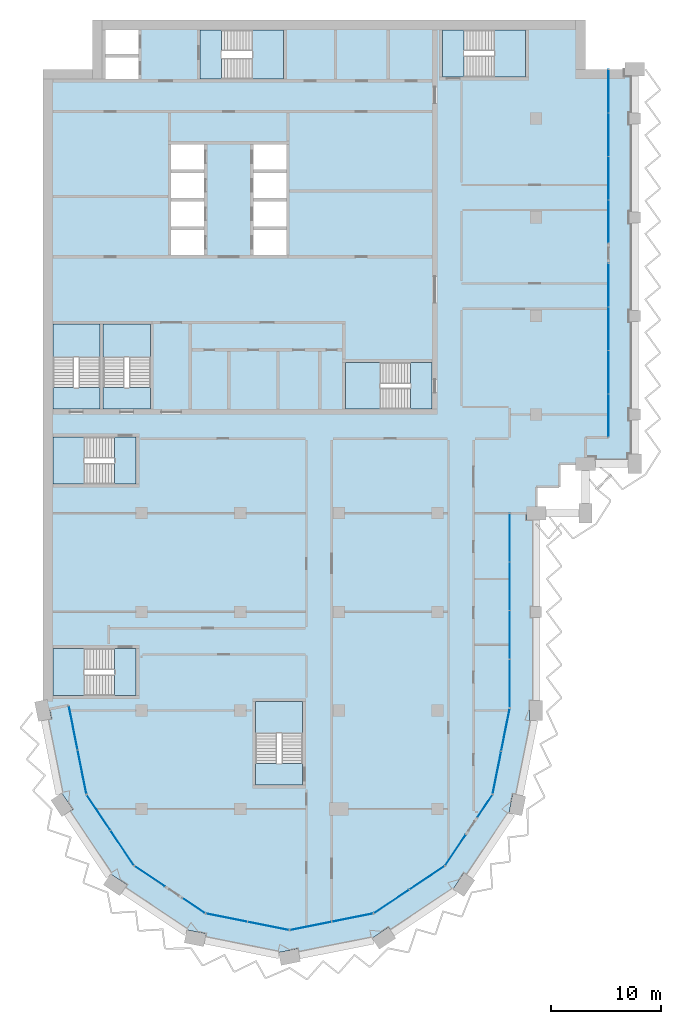
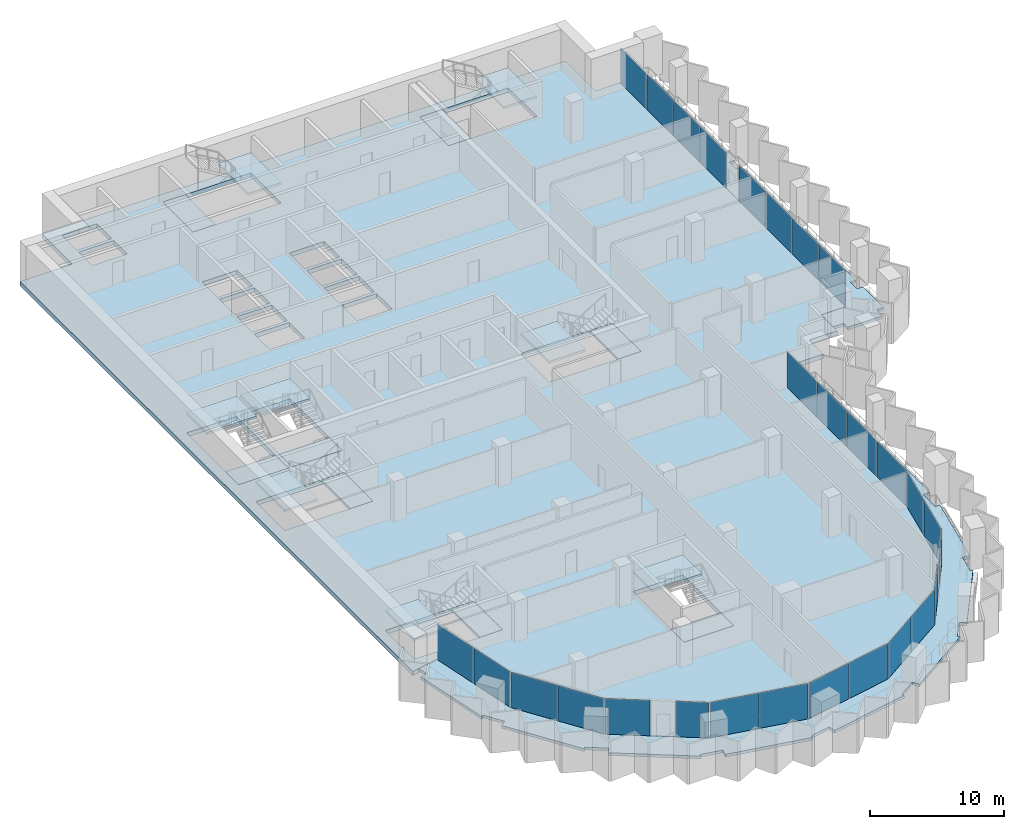
# One storey, part 6 of 17: 28 plates, 19 slabs, 21 elements without a shape of their own.
"""IFC4 building model written with IfcOpenShell, lengths in metres."""

from ifc_helpers import new_model, si_unit, direction, frame, origin, origin_2d, place, context, subcontext, project, spatial, polyline, rectangle, outline, extrude, material, layer, layer_set, type_object, element, aggregate, save


model = new_model("IFC4")

# Units and contexts
model_context = context("Model", 3, precision=1e-05, world=origin(), true_north=direction((0.0, 1.0)))
body_context = subcontext(model_context, "Body", "Model", "MODEL_VIEW")
ifc_project = project(units=[si_unit("LENGTHUNIT", "METRE"), si_unit("AREAUNIT", "SQUARE_METRE"), si_unit("VOLUMEUNIT", "CUBIC_METRE"), si_unit("PLANEANGLEUNIT", "RADIAN"), si_unit("MASSUNIT", "GRAM", prefix="KILO")], contexts=[model_context])

# Site, building, storey
site_placement = place(None, origin())
site = spatial("IfcSite", under=ifc_project, at=site_placement, CompositionType="ELEMENT")
building_placement = place(site_placement, origin())
building = spatial("IfcBuilding", under=site, at=building_placement, Name="Hunhe Ridgeline Campus", CompositionType="ELEMENT")
storey_placement = place(building_placement, frame((0.0, 0.0, 201.300048828125)))
storey = spatial("IfcBuildingStorey", under=building, at=storey_placement, Name="L51", CompositionType="ELEMENT", Elevation=201.300048828125)

# Curtain wall, plates
ifc_material_1 = material(Name="Aluminium 6063", Category="aluminium")
curtain_wall_type_1 = type_object("IfcCurtainWallType", Name="Curtain wall CW-5", PredefinedType="NOTDEFINED", material=ifc_material_1)
curtain_wall_1_placement = place(storey_placement, origin())
curtain_wall_1 = element("IfcCurtainWall", 1, at=curtain_wall_1_placement, inside=storey, type_object=curtain_wall_type_1, Name="Curtain wall 01", PredefinedType="NOTDEFINED")
ifc_material_2 = material(Name="Low-e laminated glass", Category="glass")
ifc_layer_1 = layer(ifc_material_2, 0.028076171875)
ifc_layer_set_1 = layer_set([ifc_layer_1], Name="Curtain wall glass panel 28 low-e laminated")
plate_type = type_object("IfcPlateType", Name="Curtain wall glass panel 28 low-e laminated", PredefinedType="CURTAIN_PANEL", material=ifc_layer_set_1)
plate_1_placement = place(storey_placement, frame((2.76318359375, 34.416015625, 0.0), z_axis=(0.0, 0.0, 1.0), x_axis=(0.195095347137, -0.980784280831, 0.0)))
plate_1 = element("IfcPlate", 2, at=plate_1_placement, type_object=plate_type, Name="CW-5 panel 1", PredefinedType="CURTAIN_PANEL", context=body_context, shape_type="SweptSolid", body=[
    extrude(rectangle(XDim=4.0458984375, YDim=0.028076171875, at=origin_2d()), origin(), (0.0, 0.0, 1.0), 3.22998046875),
])
plate_2_placement = place(storey_placement, frame((3.566162109375, 30.379150390625, 0.0), z_axis=(0.0, 0.0, 1.0), x_axis=(0.195095347137, -0.980784280831, 0.0)))
plate_2 = element("IfcPlate", 3, at=plate_2_placement, type_object=plate_type, Name="CW-5 panel 2", PredefinedType="CURTAIN_PANEL", context=body_context, shape_type="SweptSolid", body=[
    extrude(rectangle(XDim=4.0458984375, YDim=0.028076171875, at=origin_2d()), origin(), (0.0, 0.0, 1.0), 3.22998046875),
])
aggregate(curtain_wall_1, [plate_1, plate_2])

curtain_wall_2_placement = place(storey_placement, origin())
curtain_wall_2 = element("IfcCurtainWall", 4, at=curtain_wall_2_placement, inside=storey, type_object=curtain_wall_type_1, Name="Curtain wall 02", PredefinedType="NOTDEFINED")
plate_3_placement = place(storey_placement, frame((5.07080078125, 26.685546875, 0.0), z_axis=(0.0, 0.0, 1.0), x_axis=(0.555570274596, -0.831469584522, 0.0)))
plate_3 = element("IfcPlate", 5, at=plate_3_placement, type_object=plate_type, Name="CW-5 panel 1", PredefinedType="CURTAIN_PANEL", context=body_context, shape_type="SweptSolid", body=[
    extrude(rectangle(XDim=3.806884765625, YDim=0.028076171875, at=origin_2d()), origin(), (0.0, 0.0, 1.0), 3.22998046875),
])
plate_4_placement = place(storey_placement, frame((7.224609375, 23.4619140625, 0.0), z_axis=(0.0, 0.0, 1.0), x_axis=(0.555570274596, -0.831469584522, 0.0)))
plate_4 = element("IfcPlate", 6, at=plate_4_placement, type_object=plate_type, Name="CW-5 panel 2", PredefinedType="CURTAIN_PANEL", context=body_context, shape_type="SweptSolid", body=[
    extrude(rectangle(XDim=3.806884765625, YDim=0.028076171875, at=origin_2d()), origin(), (0.0, 0.0, 1.0), 3.22998046875),
])
aggregate(curtain_wall_2, [plate_3, plate_4])

# Curtain wall, plate
curtain_wall_3_placement = place(storey_placement, origin())
curtain_wall_3 = element("IfcCurtainWall", 7, at=curtain_wall_3_placement, inside=storey, type_object=curtain_wall_type_1, Name="Curtain wall 03", PredefinedType="NOTDEFINED")
plate_5_placement = place(storey_placement, frame((9.76025390625, 20.859375, 0.0), z_axis=(0.0, 0.0, 1.0), x_axis=(0.831469595944, -0.555570257501, 0.0)))
plate_5 = element("IfcPlate", 8, at=plate_5_placement, type_object=plate_type, Name="CW-5 panel 1", PredefinedType="CURTAIN_PANEL", context=body_context, shape_type="SweptSolid", body=[
    extrude(rectangle(XDim=3.322021484375, YDim=0.028076171875, at=origin_2d()), origin(), (0.0, 0.0, 1.0), 3.22998046875),
])
aggregate(curtain_wall_3, [plate_5])

curtain_wall_4_placement = place(storey_placement, origin())
curtain_wall_4 = element("IfcCurtainWall", 9, at=curtain_wall_4_placement, inside=storey, type_object=curtain_wall_type_1, Name="Curtain wall 04", PredefinedType="NOTDEFINED")
plate_6_placement = place(storey_placement, frame((13.761474609375, 18.18603515625, 0.0), z_axis=(0.0, 0.0, 1.0), x_axis=(0.831469510353, -0.555570385598, 0.0)))
plate_6 = element("IfcPlate", 10, at=plate_6_placement, type_object=plate_type, Name="CW-5 panel 1", PredefinedType="CURTAIN_PANEL", context=body_context, shape_type="SweptSolid", body=[
    extrude(rectangle(XDim=2.421875, YDim=0.028076171875, at=origin_2d()), origin(), (0.0, 0.0, 1.0), 3.22998046875),
])
aggregate(curtain_wall_4, [plate_6])

# Curtain wall, plates
curtain_wall_5_placement = place(storey_placement, origin())
curtain_wall_5 = element("IfcCurtainWall", 11, at=curtain_wall_5_placement, inside=storey, type_object=curtain_wall_type_1, Name="Curtain wall 05", PredefinedType="NOTDEFINED")
plate_7_placement = place(storey_placement, frame((16.761962890625, 17.08935546875, 0.0), z_axis=(0.0, 0.0, 1.0), x_axis=(0.980785275326, -0.195090347539, 0.0)))
plate_7 = element("IfcPlate", 12, at=plate_7_placement, type_object=plate_type, Name="CW-5 panel 1", PredefinedType="CURTAIN_PANEL", context=body_context, shape_type="SweptSolid", body=[
    extrude(rectangle(XDim=3.806884765625, YDim=0.028076171875, at=origin_2d()), origin(), (0.0, 0.0, 1.0), 3.22998046875),
])
plate_8_placement = place(storey_placement, frame((20.564453125, 16.3330078125, 0.0), z_axis=(0.0, 0.0, 1.0), x_axis=(0.980785275326, -0.195090347539, 0.0)))
plate_8 = element("IfcPlate", 13, at=plate_8_placement, type_object=plate_type, Name="CW-5 panel 2", PredefinedType="CURTAIN_PANEL", context=body_context, shape_type="SweptSolid", body=[
    extrude(rectangle(XDim=3.806884765625, YDim=0.028076171875, at=origin_2d()), origin(), (0.0, 0.0, 1.0), 3.22998046875),
])
aggregate(curtain_wall_5, [plate_7, plate_8])

curtain_wall_6_placement = place(storey_placement, origin())
curtain_wall_6 = element("IfcCurtainWall", 14, at=curtain_wall_6_placement, inside=storey, type_object=curtain_wall_type_1, Name="Curtain wall 06", PredefinedType="NOTDEFINED")
plate_9_placement = place(storey_placement, frame((24.435546875, 16.3330078125, 0.0), z_axis=(0.0, 0.0, 1.0), x_axis=(0.980785275326, 0.195090347539, 0.0)))
plate_9 = element("IfcPlate", 15, at=plate_9_placement, type_object=plate_type, Name="CW-5 panel 1", PredefinedType="CURTAIN_PANEL", context=body_context, shape_type="SweptSolid", body=[
    extrude(rectangle(XDim=3.806884765625, YDim=0.028076171875, at=origin_2d()), origin(), (0.0, 0.0, 1.0), 3.22998046875),
])
plate_10_placement = place(storey_placement, frame((28.238037109375, 17.08935546875, 0.0), z_axis=(0.0, 0.0, 1.0), x_axis=(0.980785275326, 0.195090347539, 0.0)))
plate_10 = element("IfcPlate", 16, at=plate_10_placement, type_object=plate_type, Name="CW-5 panel 2", PredefinedType="CURTAIN_PANEL", context=body_context, shape_type="SweptSolid", body=[
    extrude(rectangle(XDim=3.806884765625, YDim=0.028076171875, at=origin_2d()), origin(), (0.0, 0.0, 1.0), 3.22998046875),
])
aggregate(curtain_wall_6, [plate_9, plate_10])

curtain_wall_7_placement = place(storey_placement, origin())
curtain_wall_7 = element("IfcCurtainWall", 17, at=curtain_wall_7_placement, inside=storey, type_object=curtain_wall_type_1, Name="Curtain wall 07", PredefinedType="NOTDEFINED")
plate_11_placement = place(storey_placement, frame((31.814453125, 18.57080078125, 0.0), z_axis=(0.0, 0.0, 1.0), x_axis=(0.831469584522, 0.555570274596, 0.0)))
plate_11 = element("IfcPlate", 18, at=plate_11_placement, type_object=plate_type, Name="CW-5 panel 1", PredefinedType="CURTAIN_PANEL", context=body_context, shape_type="SweptSolid", body=[
    extrude(rectangle(XDim=3.806884765625, YDim=0.028076171875, at=origin_2d()), origin(), (0.0, 0.0, 1.0), 3.22998046875),
])
plate_12_placement = place(storey_placement, frame((35.0380859375, 20.724609375, 0.0), z_axis=(0.0, 0.0, 1.0), x_axis=(0.831469584522, 0.555570274596, 0.0)))
plate_12 = element("IfcPlate", 19, at=plate_12_placement, type_object=plate_type, Name="CW-5 panel 2", PredefinedType="CURTAIN_PANEL", context=body_context, shape_type="SweptSolid", body=[
    extrude(rectangle(XDim=3.806884765625, YDim=0.028076171875, at=origin_2d()), origin(), (0.0, 0.0, 1.0), 3.22998046875),
])
aggregate(curtain_wall_7, [plate_11, plate_12])

# Curtain wall, plate
curtain_wall_8_placement = place(storey_placement, origin())
curtain_wall_8 = element("IfcCurtainWall", 20, at=curtain_wall_8_placement, inside=storey, type_object=curtain_wall_type_1, Name="Curtain wall 08", PredefinedType="NOTDEFINED")
plate_13_placement = place(storey_placement, frame((37.640625, 23.26025390625, 0.0), z_axis=(0.0, 0.0, 1.0), x_axis=(0.555570257501, 0.831469595944, 0.0)))
plate_13 = element("IfcPlate", 21, at=plate_13_placement, type_object=plate_type, Name="CW-5 panel 1", PredefinedType="CURTAIN_PANEL", context=body_context, shape_type="SweptSolid", body=[
    extrude(rectangle(XDim=3.322021484375, YDim=0.028076171875, at=origin_2d()), origin(), (0.0, 0.0, 1.0), 3.22998046875),
])
aggregate(curtain_wall_8, [plate_13])

curtain_wall_9_placement = place(storey_placement, origin())
curtain_wall_9 = element("IfcCurtainWall", 22, at=curtain_wall_9_placement, inside=storey, type_object=curtain_wall_type_1, Name="Curtain wall 09", PredefinedType="NOTDEFINED")
plate_14_placement = place(storey_placement, frame((40.31396484375, 27.261474609375, 0.0), z_axis=(0.0, 0.0, 1.0), x_axis=(0.555570385598, 0.831469510353, 0.0)))
plate_14 = element("IfcPlate", 23, at=plate_14_placement, type_object=plate_type, Name="CW-5 panel 1", PredefinedType="CURTAIN_PANEL", context=body_context, shape_type="SweptSolid", body=[
    extrude(rectangle(XDim=2.421875, YDim=0.028076171875, at=origin_2d()), origin(), (0.0, 0.0, 1.0), 3.22998046875),
])
aggregate(curtain_wall_9, [plate_14])

# Curtain wall, plates
curtain_wall_10_placement = place(storey_placement, origin())
curtain_wall_10 = element("IfcCurtainWall", 24, at=curtain_wall_10_placement, inside=storey, type_object=curtain_wall_type_1, Name="Curtain wall 10", PredefinedType="NOTDEFINED")
plate_15_placement = place(storey_placement, frame((41.42236328125, 30.321044921875, 0.0), z_axis=(0.0, 0.0, 1.0), x_axis=(0.195090299215, 0.980785284939, 0.0)))
plate_15 = element("IfcPlate", 25, at=plate_15_placement, type_object=plate_type, Name="CW-5 panel 1", PredefinedType="CURTAIN_PANEL", context=body_context, shape_type="SweptSolid", body=[
    extrude(rectangle(XDim=3.927490234375, YDim=0.028076171875, at=origin_2d()), origin(), (0.0, 0.0, 1.0), 3.22998046875),
])
plate_16_placement = place(storey_placement, frame((42.2021484375, 34.24169921875, 0.0), z_axis=(0.0, 0.0, 1.0), x_axis=(0.195090299215, 0.980785284939, 0.0)))
plate_16 = element("IfcPlate", 26, at=plate_16_placement, type_object=plate_type, Name="CW-5 panel 2", PredefinedType="CURTAIN_PANEL", context=body_context, shape_type="SweptSolid", body=[
    extrude(rectangle(XDim=3.927490234375, YDim=0.028076171875, at=origin_2d()), origin(), (0.0, 0.0, 1.0), 3.22998046875),
])
aggregate(curtain_wall_10, [plate_15, plate_16])

curtain_wall_type_2 = type_object("IfcCurtainWallType", Name="Curtain wall CW-1", PredefinedType="NOTDEFINED", material=ifc_material_1)
curtain_wall_11_placement = place(storey_placement, origin())
curtain_wall_11 = element("IfcCurtainWall", 27, at=curtain_wall_11_placement, inside=storey, type_object=curtain_wall_type_2, Name="Curtain wall 11", PredefinedType="NOTDEFINED")
plate_17_placement = place(storey_placement, frame((42.59912109375, 38.471923828125, 0.0), z_axis=(0.0, 0.0, 1.0), x_axis=(6.642653e-06, 0.999999999978, 0.0)))
plate_17 = element("IfcPlate", 28, at=plate_17_placement, type_object=plate_type, Name="CW-1 panel 1", PredefinedType="CURTAIN_PANEL", context=body_context, shape_type="SweptSolid", body=[
    extrude(rectangle(XDim=4.35107421875, YDim=0.028076171875, at=origin_2d()), origin(), (0.0, 0.0, 1.0), 3.239990234375),
])
plate_18_placement = place(storey_placement, frame((42.59912109375, 42.89794921875, 0.0), z_axis=(0.0, 0.0, 1.0), x_axis=(6.642653e-06, 0.999999999978, 0.0)))
plate_18 = element("IfcPlate", 29, at=plate_18_placement, type_object=plate_type, Name="CW-1 panel 2", PredefinedType="CURTAIN_PANEL", context=body_context, shape_type="SweptSolid", body=[
    extrude(rectangle(XDim=4.381103515625, YDim=0.028076171875, at=origin_2d()), origin(), (0.0, 0.0, 1.0), 3.239990234375),
])
plate_19_placement = place(storey_placement, frame((42.59912109375, 47.3388671875, 0.0), z_axis=(0.0, 0.0, 1.0), x_axis=(6.642653e-06, 0.999999999978, 0.0)))
plate_19 = element("IfcPlate", 30, at=plate_19_placement, type_object=plate_type, Name="CW-1 panel 3", PredefinedType="CURTAIN_PANEL", context=body_context, shape_type="SweptSolid", body=[
    extrude(rectangle(XDim=4.381103515625, YDim=0.028076171875, at=origin_2d()), origin(), (0.0, 0.0, 1.0), 3.239990234375),
])
plate_20_placement = place(storey_placement, frame((42.59912109375, 51.764892578125, 0.0), z_axis=(0.0, 0.0, 1.0), x_axis=(6.642653e-06, 0.999999999978, 0.0)))
plate_20 = element("IfcPlate", 31, at=plate_20_placement, type_object=plate_type, Name="CW-1 panel 4", PredefinedType="CURTAIN_PANEL", context=body_context, shape_type="SweptSolid", body=[
    extrude(rectangle(XDim=4.35107421875, YDim=0.028076171875, at=origin_2d()), origin(), (0.0, 0.0, 1.0), 3.239990234375),
])
aggregate(curtain_wall_11, [plate_17, plate_18, plate_19, plate_20])

curtain_wall_12_placement = place(storey_placement, origin())
curtain_wall_12 = element("IfcCurtainWall", 32, at=curtain_wall_12_placement, inside=storey, type_object=curtain_wall_type_2, Name="Curtain wall 12", PredefinedType="NOTDEFINED")
plate_21_placement = place(storey_placement, frame((51.59912109375, 62.9033203125, 0.0), z_axis=(0.0, 0.0, 1.0), x_axis=(0.0, 1.0, 0.0)))
plate_21 = element("IfcPlate", 33, at=plate_21_placement, type_object=plate_type, Name="CW-1 panel 1", PredefinedType="CURTAIN_PANEL", context=body_context, shape_type="SweptSolid", body=[
    extrude(rectangle(XDim=3.884765625, YDim=0.028076171875, at=origin_2d()), origin(), (0.0, 0.0, 1.0), 3.239990234375),
])
plate_22_placement = place(storey_placement, frame((51.59912109375, 66.86328125, 0.0), z_axis=(0.0, 0.0, 1.0), x_axis=(0.0, 1.0, 0.0)))
plate_22 = element("IfcPlate", 34, at=plate_22_placement, type_object=plate_type, Name="CW-1 panel 2", PredefinedType="CURTAIN_PANEL", context=body_context, shape_type="SweptSolid", body=[
    extrude(rectangle(XDim=3.914794921875, YDim=0.028076171875, at=origin_2d()), origin(), (0.0, 0.0, 1.0), 3.239990234375),
])
plate_23_placement = place(storey_placement, frame((51.59912109375, 70.838134765625, 0.0), z_axis=(0.0, 0.0, 1.0), x_axis=(0.0, 1.0, 0.0)))
plate_23 = element("IfcPlate", 35, at=plate_23_placement, type_object=plate_type, Name="CW-1 panel 3", PredefinedType="CURTAIN_PANEL", context=body_context, shape_type="SweptSolid", body=[
    extrude(rectangle(XDim=3.914794921875, YDim=0.028076171875, at=origin_2d()), origin(), (0.0, 0.0, 1.0), 3.239990234375),
])
plate_24_placement = place(storey_placement, frame((51.59912109375, 74.798095703125, 0.0), z_axis=(0.0, 0.0, 1.0), x_axis=(0.0, 1.0, 0.0)))
plate_24 = element("IfcPlate", 36, at=plate_24_placement, type_object=plate_type, Name="CW-1 panel 4", PredefinedType="CURTAIN_PANEL", context=body_context, shape_type="SweptSolid", body=[
    extrude(rectangle(XDim=3.884765625, YDim=0.028076171875, at=origin_2d()), origin(), (0.0, 0.0, 1.0), 3.239990234375),
])
aggregate(curtain_wall_12, [plate_21, plate_22, plate_23, plate_24])

curtain_wall_13_placement = place(storey_placement, origin())
curtain_wall_13 = element("IfcCurtainWall", 37, at=curtain_wall_13_placement, inside=storey, type_object=curtain_wall_type_2, Name="Curtain wall 13", PredefinedType="NOTDEFINED")
plate_25_placement = place(storey_placement, frame((51.59912109375, 80.60302734375, 0.0), z_axis=(0.0, 0.0, 1.0), x_axis=(0.0, 1.0, 0.0)))
plate_25 = element("IfcPlate", 38, at=plate_25_placement, type_object=plate_type, Name="CW-1 panel 1", PredefinedType="CURTAIN_PANEL", context=body_context, shape_type="SweptSolid", body=[
    extrude(rectangle(XDim=3.884765625, YDim=0.028076171875, at=origin_2d()), origin(), (0.0, 0.0, 1.0), 3.239990234375),
])
plate_26_placement = place(storey_placement, frame((51.59912109375, 84.562744140625, 0.0), z_axis=(0.0, 0.0, 1.0), x_axis=(0.0, 1.0, 0.0)))
plate_26 = element("IfcPlate", 39, at=plate_26_placement, type_object=plate_type, Name="CW-1 panel 2", PredefinedType="CURTAIN_PANEL", context=body_context, shape_type="SweptSolid", body=[
    extrude(rectangle(XDim=3.914794921875, YDim=0.028076171875, at=origin_2d()), origin(), (0.0, 0.0, 1.0), 3.239990234375),
])
plate_27_placement = place(storey_placement, frame((51.59912109375, 88.53759765625, 0.0), z_axis=(0.0, 0.0, 1.0), x_axis=(0.0, 1.0, 0.0)))
plate_27 = element("IfcPlate", 40, at=plate_27_placement, type_object=plate_type, Name="CW-1 panel 3", PredefinedType="CURTAIN_PANEL", context=body_context, shape_type="SweptSolid", body=[
    extrude(rectangle(XDim=3.914794921875, YDim=0.028076171875, at=origin_2d()), origin(), (0.0, 0.0, 1.0), 3.239990234375),
])
plate_28_placement = place(storey_placement, frame((51.59912109375, 92.49755859375, 0.0), z_axis=(0.0, 0.0, 1.0), x_axis=(0.0, 1.0, 0.0)))
plate_28 = element("IfcPlate", 41, at=plate_28_placement, type_object=plate_type, Name="CW-1 panel 4", PredefinedType="CURTAIN_PANEL", context=body_context, shape_type="SweptSolid", body=[
    extrude(rectangle(XDim=3.884765625, YDim=0.028076171875, at=origin_2d()), origin(), (0.0, 0.0, 1.0), 3.239990234375),
])
aggregate(curtain_wall_13, [plate_25, plate_26, plate_27, plate_28])

# Slabs
ifc_material_3 = material(Name="Concrete C40", Category="concrete")
ifc_layer_2 = layer(ifc_material_3, 0.39990234375)
ifc_layer_set_2 = layer_set([ifc_layer_2], Name="Floor slab 400 Concrete C40")
slab_type_1 = type_object("IfcSlabType", Name="Floor slab 400 Concrete C40", PredefinedType="FLOOR", material=ifc_layer_set_2)
slab_1_placement = place(storey_placement, frame((0.0, 0.0, -0.400146484375)))
element("IfcSlab", 42, at=slab_1_placement, inside=storey, type_object=slab_type_1, Name="Floor slab L51 1", PredefinedType="FLOOR", context=body_context, shape_type="SweptSolid", body=[
    extrude(outline(polyline([(30.173583984375, 17.474365234375), (36.678955078125, 21.821044921875), (41.025634765625, 28.326416015625), (42.59912109375, 36.236572265625), (42.59912109375, 54.00048828125), (44.9990234375, 54.0009765625), (44.999267578125, 56.400634765625), (47.09912109375, 56.40087890625), (47.099609375, 58.5009765625), (49.4990234375, 58.5009765625), (49.49951171875, 60.90087890625), (51.59912109375, 60.90087890625), (51.59912109375, 94.5), (49.5, 94.5), (49.5, 99.0), (4.5, 99.0), (4.5, 94.5), (0.0, 94.5), (0.0, 36.0009765625), (2.354736328125, 36.46875), (3.974365234375, 28.326416015625), (8.321044921875, 21.821044921875), (14.826416015625, 17.474365234375), (22.5, 15.947998046875), (30.173583984375, 17.474365234375)]), holes=[polyline([(36.449951171875, 93.800048828125), (44.050048828125, 93.800048828125), (44.050048828125, 98.10009765625), (36.449951171875, 98.10009765625), (36.449951171875, 93.800048828125)]), polyline([(35.5, 63.5), (35.5, 67.75), (27.60009765625, 67.75), (27.60009765625, 63.5), (35.5, 63.5)]), polyline([(19.39990234375, 29.199951171875), (23.699951171875, 29.199951171875), (23.699951171875, 36.800048828125), (19.39990234375, 36.800048828125), (19.39990234375, 29.199951171875)]), polyline([(22.199951171875, 80.14990234375), (22.199951171875, 82.449951171875), (19.199951171875, 82.449951171875), (19.199951171875, 80.14990234375), (22.199951171875, 80.14990234375)]), polyline([(22.199951171875, 79.85009765625), (19.199951171875, 79.85009765625), (19.199951171875, 77.550048828125), (22.199951171875, 77.550048828125), (22.199951171875, 79.85009765625)]), polyline([(19.199951171875, 87.64990234375), (19.199951171875, 85.35009765625), (22.199951171875, 85.35009765625), (22.199951171875, 87.64990234375), (19.199951171875, 87.64990234375)]), polyline([(19.199951171875, 82.75), (22.199951171875, 82.75), (22.199951171875, 85.050048828125), (19.199951171875, 85.050048828125), (19.199951171875, 82.75)]), polyline([(14.35009765625, 93.60009765625), (21.949951171875, 93.60009765625), (21.949951171875, 98.10009765625), (14.35009765625, 98.10009765625), (14.35009765625, 93.60009765625)]), polyline([(14.699951171875, 79.85009765625), (11.699951171875, 79.85009765625), (11.699951171875, 77.550048828125), (14.699951171875, 77.550048828125), (14.699951171875, 79.85009765625)]), polyline([(14.699951171875, 80.14990234375), (14.699951171875, 82.449951171875), (11.699951171875, 82.449951171875), (11.699951171875, 80.14990234375), (14.699951171875, 80.14990234375)]), polyline([(11.699951171875, 87.64990234375), (11.699951171875, 85.35009765625), (14.699951171875, 85.35009765625), (14.699951171875, 87.64990234375), (11.699951171875, 87.64990234375)]), polyline([(11.699951171875, 82.75), (14.699951171875, 82.75), (14.699951171875, 85.050048828125), (11.699951171875, 85.050048828125), (11.699951171875, 82.75)]), polyline([(9.800048828125, 71.25), (5.5, 71.25), (5.5, 63.5), (9.800048828125, 63.5), (9.800048828125, 71.25)]), polyline([(8.699951171875, 95.89990234375), (8.699951171875, 98.10009765625), (5.699951171875, 98.10009765625), (5.699951171875, 95.89990234375), (8.699951171875, 95.89990234375)]), polyline([(8.699951171875, 95.60009765625), (5.699951171875, 95.60009765625), (5.699951171875, 93.60009765625), (8.699951171875, 93.60009765625), (8.699951171875, 95.60009765625)]), polyline([(0.89990234375, 37.35009765625), (8.5, 37.35009765625), (8.5, 41.64990234375), (0.89990234375, 41.64990234375), (0.89990234375, 37.35009765625)]), polyline([(0.89990234375, 60.949951171875), (0.89990234375, 56.64990234375), (8.5, 56.64990234375), (8.5, 60.949951171875), (0.89990234375, 60.949951171875)]), polyline([(0.89990234375, 71.25), (0.89990234375, 63.5), (5.199951171875, 63.5), (5.199951171875, 71.25), (0.89990234375, 71.25)])]), origin(), (0.0, 0.0, 1.0), 0.400146484375),
])
ifc_layer_3 = layer(ifc_material_3, 0.25)
ifc_layer_set_3 = layer_set([ifc_layer_3], Name="Loggia slab 250 Concrete C40")
slab_type_2 = type_object("IfcSlabType", Name="Loggia slab 250 Concrete C40", PredefinedType="FLOOR", material=ifc_layer_set_3)
slab_2_placement = place(storey_placement, frame((0.0, 0.0, -0.25)))
element("IfcSlab", 43, at=slab_2_placement, inside=storey, type_object=slab_type_2, Name="Loggia slab 1", PredefinedType="FLOOR", context=body_context, shape_type="SweptSolid", body=[
    extrude(outline(polyline([(30.173828125, 17.473388671875), (22.5, 15.947021484375), (14.826171875, 17.473388671875), (8.3203125, 21.8203125), (3.973388671875, 28.326171875), (2.35400390625, 36.46826171875), (0.58837890625, 36.116943359375), (0.76416015625, 35.234375), (0.175537109375, 35.1171875), (1.522705078125, 28.344970703125), (1.711669921875, 28.47119140625), (2.711669921875, 26.974609375), (2.212646484375, 26.641357421875), (6.048828125, 20.900146484375), (6.175048828125, 21.089111328125), (7.671875, 20.0888671875), (7.33837890625, 19.590087890625), (13.07958984375, 15.75390625), (13.1240234375, 15.976806640625), (14.889404296875, 15.62548828125), (14.772216796875, 15.037109375), (21.544677734375, 13.68994140625), (21.500244140625, 13.912841796875), (23.265625, 14.26416015625), (23.3828125, 13.675537109375), (30.155029296875, 15.022705078125), (30.02880859375, 15.211669921875), (31.525390625, 16.211669921875), (31.858642578125, 15.712646484375), (37.599853515625, 19.548828125), (37.410888671875, 19.675048828125), (38.4111328125, 21.171875), (38.909912109375, 20.83837890625), (42.74609375, 26.57958984375), (42.523193359375, 26.6240234375), (42.87451171875, 28.389404296875), (43.462890625, 28.272216796875), (44.821044921875, 35.10009765625), (44.39990234375, 35.10009765625), (44.39990234375, 36.89990234375), (45.0, 36.89990234375), (45.0, 44.5), (44.5, 44.5), (44.5, 45.5), (45.0, 45.5), (45.0, 53.39990234375), (44.10009765625, 53.39990234375), (44.10009765625, 54.0), (42.60009765625, 54.0), (42.60009765625, 36.236328125), (41.026611328125, 28.326171875), (36.6796875, 21.8203125), (30.173828125, 17.473388671875)])), origin(), (0.0, 0.0, 1.0), 0.25),
])
slab_3_placement = place(storey_placement, frame((0.0, 0.0, -0.25)))
element("IfcSlab", 44, at=slab_3_placement, inside=storey, type_object=slab_type_2, Name="Loggia slab 2", PredefinedType="FLOOR", context=body_context, shape_type="SweptSolid", body=[
    extrude(outline(polyline([(49.5, 59.10009765625), (50.39990234375, 59.10009765625), (50.39990234375, 58.5), (53.39990234375, 58.5), (53.39990234375, 59.39990234375), (54.0, 59.39990234375), (54.0, 62.5), (53.5, 62.5), (53.5, 63.5), (54.0, 63.5), (54.0, 71.5), (53.5, 71.5), (53.5, 72.5), (54.0, 72.5), (54.0, 80.5), (53.5, 80.5), (53.5, 81.5), (54.0, 81.5), (54.0, 89.5), (53.5, 89.5), (53.5, 90.5), (54.0, 90.5), (54.0, 93.89990234375), (53.10009765625, 93.89990234375), (53.10009765625, 94.5), (51.60009765625, 94.5), (51.60009765625, 60.89990234375), (49.5, 60.89990234375), (49.5, 59.10009765625)])), origin(), (0.0, 0.0, 1.0), 0.25),
])

# Stair, slab
stair_type = type_object("IfcStairType", Name="Reinforced concrete dog-leg stair 1950 Concrete C40", PredefinedType="HALF_TURN_STAIR", material=ifc_material_3)
stair_1_placement = place(storey_placement, origin())
stair_1 = element("IfcStair", 45, at=stair_1_placement, inside=storey, type_object=stair_type, Name="L51 S1", PredefinedType="HALF_TURN_STAIR")
ifc_layer_4 = layer(ifc_material_3, 0.199951171875)
ifc_layer_set_4 = layer_set([ifc_layer_4], Name="Reinforced concrete stair landing 200 Concrete C40")
slab_type_3 = type_object("IfcSlabType", Name="Reinforced concrete stair landing 200 Concrete C40", PredefinedType="LANDING", material=ifc_layer_set_4)
slab_4_placement = place(storey_placement, frame((0.0, 0.0, 1.64990234375)))
slab_4 = element("IfcSlab", 46, at=slab_4_placement, type_object=slab_type_3, Name="ST1 landing 1", PredefinedType="LANDING", context=body_context, shape_type="SweptSolid", body=[
    extrude(outline(polyline([(19.10009765625, 93.60009765625), (21.949951171875, 93.60009765625), (21.949951171875, 98.10009765625), (19.10009765625, 98.10009765625), (19.10009765625, 93.60009765625)])), origin(), (0.0, 0.0, 1.0), 0.199951171875),
])
aggregate(stair_1, [slab_4])

# Slab
slab_5_placement = place(storey_placement, frame((0.0, 0.0, -0.199951171875)))
element("IfcSlab", 47, at=slab_5_placement, inside=storey, type_object=slab_type_3, Name="L51 stair S1 floor landing", PredefinedType="LANDING", context=body_context, shape_type="SweptSolid", body=[
    extrude(outline(polyline([(14.35009765625, 93.60009765625), (16.300048828125, 93.60009765625), (16.300048828125, 98.10009765625), (14.35009765625, 98.10009765625), (14.35009765625, 93.60009765625)])), origin(), (0.0, 0.0, 1.0), 0.199951171875),
])

# Stair, slab
stair_2_placement = place(storey_placement, origin())
stair_2 = element("IfcStair", 48, at=stair_2_placement, inside=storey, type_object=stair_type, Name="L51 S2", PredefinedType="HALF_TURN_STAIR")
slab_6_placement = place(storey_placement, frame((0.0, 0.0, 1.64990234375)))
slab_6 = element("IfcSlab", 49, at=slab_6_placement, type_object=slab_type_3, Name="ST2 landing 1", PredefinedType="LANDING", context=body_context, shape_type="SweptSolid", body=[
    extrude(outline(polyline([(30.75, 67.75), (27.60009765625, 67.75), (27.60009765625, 63.5), (30.75, 63.5), (30.75, 67.75)])), origin(), (0.0, 0.0, 1.0), 0.199951171875),
])
aggregate(stair_2, [slab_6])

# Slab
slab_7_placement = place(storey_placement, frame((0.0, 0.0, -0.199951171875)))
element("IfcSlab", 50, at=slab_7_placement, inside=storey, type_object=slab_type_3, Name="L51 stair S2 floor landing", PredefinedType="LANDING", context=body_context, shape_type="SweptSolid", body=[
    extrude(outline(polyline([(35.5, 67.75), (33.550048828125, 67.75), (33.550048828125, 63.5), (35.5, 63.5), (35.5, 67.75)])), origin(), (0.0, 0.0, 1.0), 0.199951171875),
])

# Stair, slab
stair_3_placement = place(storey_placement, origin())
stair_3 = element("IfcStair", 51, at=stair_3_placement, inside=storey, type_object=stair_type, Name="L51 S3", PredefinedType="HALF_TURN_STAIR")
slab_8_placement = place(storey_placement, frame((0.0, 0.0, 1.64990234375)))
slab_8 = element("IfcSlab", 52, at=slab_8_placement, type_object=slab_type_3, Name="ST3 landing 1", PredefinedType="LANDING", context=body_context, shape_type="SweptSolid", body=[
    extrude(outline(polyline([(5.199951171875, 68.25), (5.199951171875, 71.25), (0.89990234375, 71.25), (0.89990234375, 68.25), (5.199951171875, 68.25)])), origin(), (0.0, 0.0, 1.0), 0.199951171875),
])
aggregate(stair_3, [slab_8])

# Slab
slab_9_placement = place(storey_placement, frame((0.0, 0.0, -0.199951171875)))
element("IfcSlab", 53, at=slab_9_placement, inside=storey, type_object=slab_type_3, Name="L51 stair S3 floor landing", PredefinedType="LANDING", context=body_context, shape_type="SweptSolid", body=[
    extrude(outline(polyline([(5.199951171875, 63.5), (5.199951171875, 65.449951171875), (0.89990234375, 65.449951171875), (0.89990234375, 63.5), (5.199951171875, 63.5)])), origin(), (0.0, 0.0, 1.0), 0.199951171875),
])

# Stair, slab
stair_4_placement = place(storey_placement, origin())
stair_4 = element("IfcStair", 54, at=stair_4_placement, inside=storey, type_object=stair_type, Name="L51 S4", PredefinedType="HALF_TURN_STAIR")
slab_10_placement = place(storey_placement, frame((0.0, 0.0, 1.64990234375)))
slab_10 = element("IfcSlab", 55, at=slab_10_placement, type_object=slab_type_3, Name="ST4 landing 1", PredefinedType="LANDING", context=body_context, shape_type="SweptSolid", body=[
    extrude(outline(polyline([(9.800048828125, 68.25), (9.800048828125, 71.25), (5.5, 71.25), (5.5, 68.25), (9.800048828125, 68.25)])), origin(), (0.0, 0.0, 1.0), 0.199951171875),
])
aggregate(stair_4, [slab_10])

# Slab
slab_11_placement = place(storey_placement, frame((0.0, 0.0, -0.199951171875)))
element("IfcSlab", 56, at=slab_11_placement, inside=storey, type_object=slab_type_3, Name="L51 stair S4 floor landing", PredefinedType="LANDING", context=body_context, shape_type="SweptSolid", body=[
    extrude(outline(polyline([(9.800048828125, 63.5), (9.800048828125, 65.449951171875), (5.5, 65.449951171875), (5.5, 63.5), (9.800048828125, 63.5)])), origin(), (0.0, 0.0, 1.0), 0.199951171875),
])

# Stair, slab
stair_5_placement = place(storey_placement, origin())
stair_5 = element("IfcStair", 57, at=stair_5_placement, inside=storey, type_object=stair_type, Name="L51 E1", PredefinedType="HALF_TURN_STAIR")
slab_12_placement = place(storey_placement, frame((0.0, 0.0, 1.64990234375)))
slab_12 = element("IfcSlab", 58, at=slab_12_placement, type_object=slab_type_3, Name="ST5 landing 1", PredefinedType="LANDING", context=body_context, shape_type="SweptSolid", body=[
    extrude(outline(polyline([(41.199951171875, 93.800048828125), (44.050048828125, 93.800048828125), (44.050048828125, 98.10009765625), (41.199951171875, 98.10009765625), (41.199951171875, 93.800048828125)])), origin(), (0.0, 0.0, 1.0), 0.199951171875),
])
aggregate(stair_5, [slab_12])

# Slab
slab_13_placement = place(storey_placement, frame((0.0, 0.0, -0.199951171875)))
element("IfcSlab", 59, at=slab_13_placement, inside=storey, type_object=slab_type_3, Name="L51 stair E1 floor landing", PredefinedType="LANDING", context=body_context, shape_type="SweptSolid", body=[
    extrude(outline(polyline([(36.449951171875, 93.800048828125), (38.39990234375, 93.800048828125), (38.39990234375, 98.10009765625), (36.449951171875, 98.10009765625), (36.449951171875, 93.800048828125)])), origin(), (0.0, 0.0, 1.0), 0.199951171875),
])

# Stair, slab
stair_6_placement = place(storey_placement, origin())
stair_6 = element("IfcStair", 60, at=stair_6_placement, inside=storey, type_object=stair_type, Name="L51 W3", PredefinedType="HALF_TURN_STAIR")
slab_14_placement = place(storey_placement, frame((0.0, 0.0, 1.64990234375)))
slab_14 = element("IfcSlab", 61, at=slab_14_placement, type_object=slab_type_3, Name="ST9 landing 1", PredefinedType="LANDING", context=body_context, shape_type="SweptSolid", body=[
    extrude(outline(polyline([(23.699951171875, 33.949951171875), (23.699951171875, 36.800048828125), (19.39990234375, 36.800048828125), (19.39990234375, 33.949951171875), (23.699951171875, 33.949951171875)])), origin(), (0.0, 0.0, 1.0), 0.199951171875),
])
aggregate(stair_6, [slab_14])

# Slab
slab_15_placement = place(storey_placement, frame((0.0, 0.0, -0.199951171875)))
element("IfcSlab", 62, at=slab_15_placement, inside=storey, type_object=slab_type_3, Name="L51 stair W3 floor landing", PredefinedType="LANDING", context=body_context, shape_type="SweptSolid", body=[
    extrude(outline(polyline([(23.699951171875, 29.199951171875), (23.699951171875, 31.14990234375), (19.39990234375, 31.14990234375), (19.39990234375, 29.199951171875), (23.699951171875, 29.199951171875)])), origin(), (0.0, 0.0, 1.0), 0.199951171875),
])

# Stair, slab
stair_7_placement = place(storey_placement, origin())
stair_7 = element("IfcStair", 63, at=stair_7_placement, inside=storey, type_object=stair_type, Name="L51 W1", PredefinedType="HALF_TURN_STAIR")
slab_16_placement = place(storey_placement, frame((0.0, 0.0, 1.64990234375)))
slab_16 = element("IfcSlab", 64, at=slab_16_placement, type_object=slab_type_3, Name="ST11 landing 1", PredefinedType="LANDING", context=body_context, shape_type="SweptSolid", body=[
    extrude(outline(polyline([(3.75, 41.64990234375), (0.89990234375, 41.64990234375), (0.89990234375, 37.35009765625), (3.75, 37.35009765625), (3.75, 41.64990234375)])), origin(), (0.0, 0.0, 1.0), 0.199951171875),
])
aggregate(stair_7, [slab_16])

# Slab
slab_17_placement = place(storey_placement, frame((0.0, 0.0, -0.199951171875)))
element("IfcSlab", 65, at=slab_17_placement, inside=storey, type_object=slab_type_3, Name="L51 stair W1 floor landing", PredefinedType="LANDING", context=body_context, shape_type="SweptSolid", body=[
    extrude(outline(polyline([(8.5, 41.64990234375), (6.550048828125, 41.64990234375), (6.550048828125, 37.35009765625), (8.5, 37.35009765625), (8.5, 41.64990234375)])), origin(), (0.0, 0.0, 1.0), 0.199951171875),
])

# Stair, slab
stair_8_placement = place(storey_placement, origin())
stair_8 = element("IfcStair", 66, at=stair_8_placement, inside=storey, type_object=stair_type, Name="L51 W2", PredefinedType="HALF_TURN_STAIR")
slab_18_placement = place(storey_placement, frame((0.0, 0.0, 1.64990234375)))
slab_18 = element("IfcSlab", 67, at=slab_18_placement, type_object=slab_type_3, Name="ST12 landing 1", PredefinedType="LANDING", context=body_context, shape_type="SweptSolid", body=[
    extrude(outline(polyline([(3.75, 60.949951171875), (0.89990234375, 60.949951171875), (0.89990234375, 56.64990234375), (3.75, 56.64990234375), (3.75, 60.949951171875)])), origin(), (0.0, 0.0, 1.0), 0.199951171875),
])
aggregate(stair_8, [slab_18])

# Slab
slab_19_placement = place(storey_placement, frame((0.0, 0.0, -0.199951171875)))
element("IfcSlab", 68, at=slab_19_placement, inside=storey, type_object=slab_type_3, Name="L51 stair W2 floor landing", PredefinedType="LANDING", context=body_context, shape_type="SweptSolid", body=[
    extrude(outline(polyline([(8.5, 60.949951171875), (6.550048828125, 60.949951171875), (6.550048828125, 56.64990234375), (8.5, 56.64990234375), (8.5, 60.949951171875)])), origin(), (0.0, 0.0, 1.0), 0.199951171875),
])

save(model, "model.ifc")
